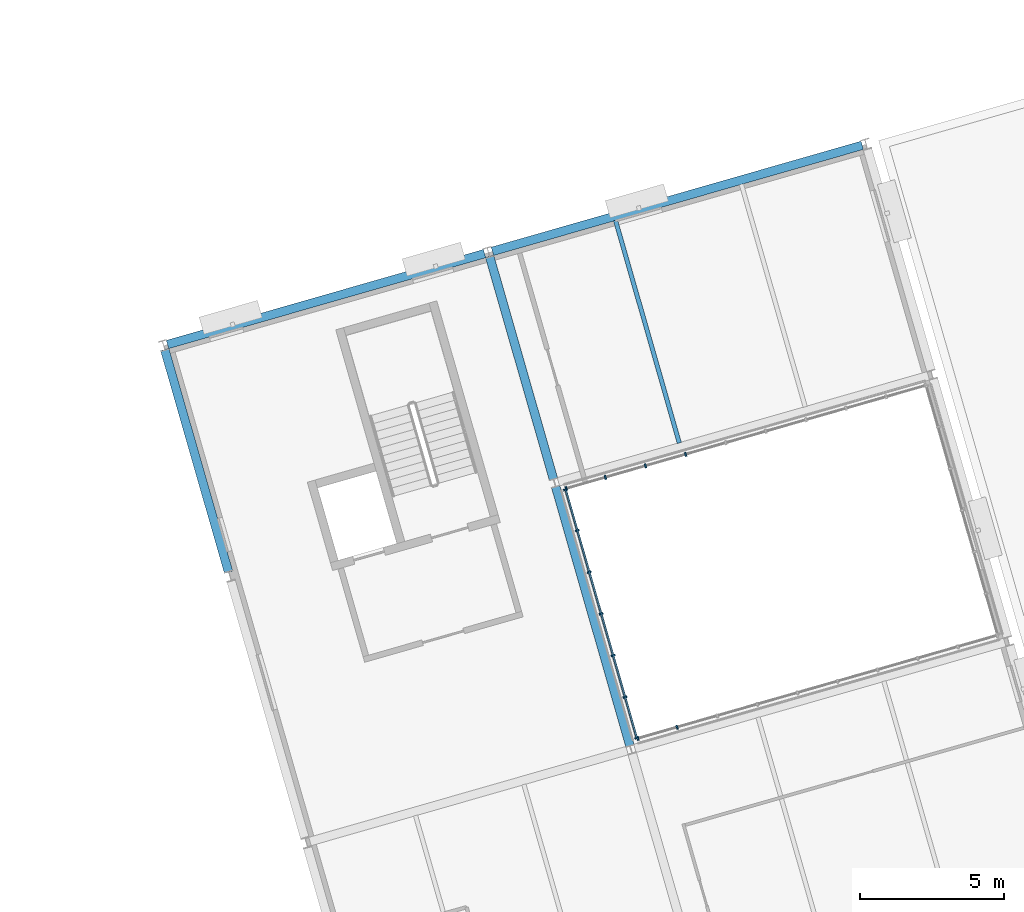
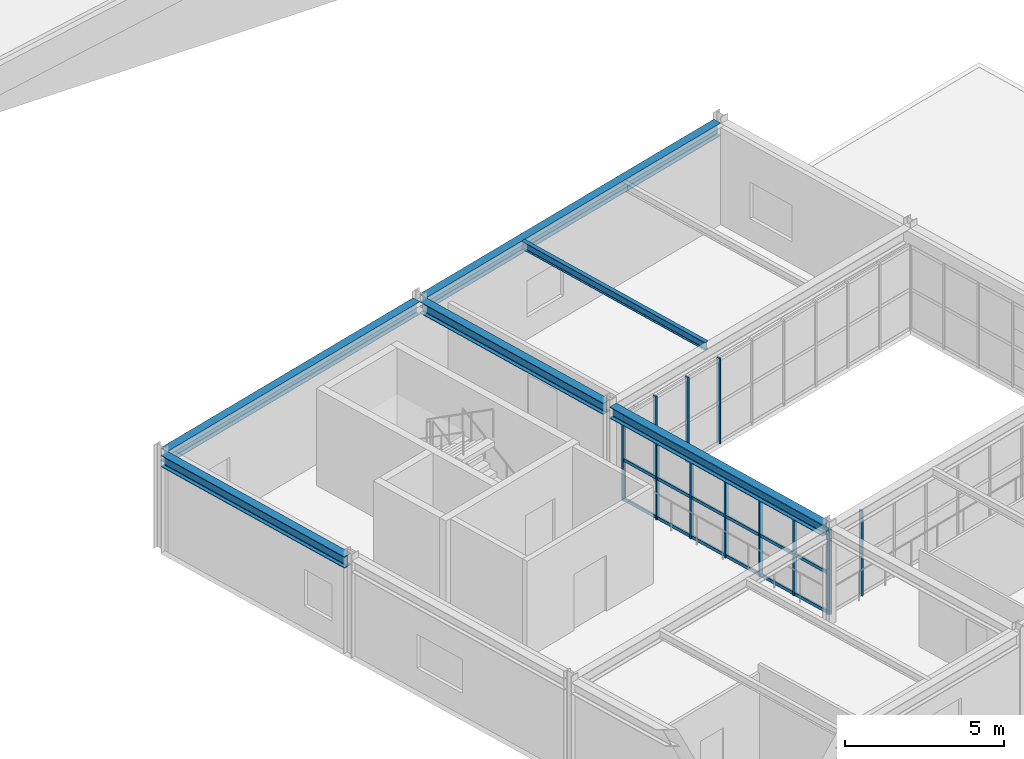
# One storey, part 13 of 44: 16 members, 6 beams, 3 elements without a shape of their own.
"""IFC4 building model written with IfcOpenShell, lengths in metres."""

from ifc_helpers import new_model, si_unit, direction, frame, origin, origin_2d, place, context, subcontext, project, spatial, rectangle, i_section, extrude, material, material_profile, profile_set, type_object, element, aggregate, save


model = new_model("IFC4")

# Units and contexts
model_context = context("Model", 3, precision=1e-05, world=origin(), true_north=direction((0.0, 1.0)))
body_context = subcontext(model_context, "Body", "Model", "MODEL_VIEW")
ifc_project = project(units=[si_unit("LENGTHUNIT", "METRE"), si_unit("AREAUNIT", "SQUARE_METRE"), si_unit("VOLUMEUNIT", "CUBIC_METRE"), si_unit("PLANEANGLEUNIT", "RADIAN"), si_unit("MASSUNIT", "GRAM", prefix="KILO")], contexts=[model_context])

# Site, building, storey
site_placement = place(None, origin())
site = spatial("IfcSite", under=ifc_project, at=site_placement, CompositionType="ELEMENT")
building_placement = place(site_placement, origin())
building = spatial("IfcBuilding", under=site, at=building_placement, Name="Varnklinge Art Gallery", CompositionType="ELEMENT")
storey_placement = place(building_placement, frame((0.0, 0.0, 13.679931640625)))
storey = spatial("IfcBuildingStorey", under=building, at=storey_placement, Name="L03", CompositionType="ELEMENT", Elevation=13.679931640625)

# Beams
ifc_material_1 = material(Name="Steel S355", Category="steel")
ifc_material_profile_1 = material_profile(ifc_material_1, i_section(OverallWidth=0.300048828125, OverallDepth=0.489990234375, WebThickness=0.011962890625, FlangeThickness=0.02294921875, FilletRadius=0.027099609375, at=origin_2d()), Name="HEA 500")
ifc_profile_set_1 = profile_set([ifc_material_profile_1], Name="Steel S355")
beam_type_1 = type_object("IfcBeamType", Name="BM-07", PredefinedType="BEAM", material=ifc_profile_set_1)
beam_1_placement = place(storey_placement, frame((117.740478515625, 35.03173828125, 3.47509765625), z_axis=(0.961257274888, 0.275652773383, 0.0), x_axis=(-0.275652773383, 0.961257274888, 0.0)))
element("IfcBeam", 1, at=beam_1_placement, inside=storey, type_object=beam_type_1, Name="L03 BM-07 BM-V6-L04-U3-0", PredefinedType="BEAM", context=body_context, shape_type="SweptSolid", body=[
    extrude(i_section(OverallWidth=0.300048828125, OverallDepth=0.489990234375, WebThickness=0.011962890625, FlangeThickness=0.02294921875, FilletRadius=0.027099609375, at=origin_2d()), origin(), (0.0, 0.0, 1.0), 11.419921875),
])
beam_2_placement = place(storey_placement, frame((128.9873046875, 38.2568359375, 3.47509765625), z_axis=(0.961262060229, 0.275636085381, 0.0), x_axis=(-0.275636085381, 0.961262060229, 0.0)))
element("IfcBeam", 2, at=beam_2_placement, inside=storey, type_object=beam_type_1, Name="L03 BM-07 BM-V6-L04-U3-1", PredefinedType="BEAM", context=body_context, shape_type="SweptSolid", body=[
    extrude(i_section(OverallWidth=0.300048828125, OverallDepth=0.489990234375, WebThickness=0.011962890625, FlangeThickness=0.02294921875, FilletRadius=0.027099609375, at=origin_2d()), origin(), (0.0, 0.0, 1.0), 13.319580078125),
])
ifc_material_2 = material(Name="Steel S355", Category="steel")
ifc_material_profile_2 = material_profile(ifc_material_2, i_section(OverallWidth=0.300048828125, OverallDepth=0.43994140625, WebThickness=0.011474609375, FlangeThickness=0.02099609375, FilletRadius=0.027099609375, at=origin_2d()), Name="HEA 450")
ifc_profile_set_2 = profile_set([ifc_material_profile_2], Name="Steel S355")
beam_type_2 = type_object("IfcBeamType", Name="BM-08", PredefinedType="BEAM", material=ifc_profile_set_2)
beam_3_placement = place(storey_placement, frame((119.85498046875, 27.1494140625, 3.5), z_axis=(-0.275649759333, 0.961258139201, 0.0), x_axis=(-0.961258139201, -0.275649759333, 0.0)))
element("IfcBeam", 3, at=beam_3_placement, inside=storey, type_object=beam_type_2, Name="L03 BM-08 BM-V6-L04-V0-2", PredefinedType="BEAM", context=body_context, shape_type="SweptSolid", body=[
    extrude(i_section(OverallWidth=0.300048828125, OverallDepth=0.43994140625, WebThickness=0.011474609375, FlangeThickness=0.02099609375, FilletRadius=0.027099609375, at=origin_2d()), origin(), (0.0, 0.0, 1.0), 8.02001953125),
])
beam_4_placement = place(storey_placement, frame((133.747802734375, 21.146240234375, 3.5), z_axis=(-0.275634404399, 0.961262542239, 0.0), x_axis=(-0.961262542239, -0.275634404399, 0.0)))
element("IfcBeam", 4, at=beam_4_placement, inside=storey, type_object=beam_type_2, Name="L03 BM-08 BM-V6-L04-V1-1", PredefinedType="BEAM", context=body_context, shape_type="SweptSolid", body=[
    extrude(i_section(OverallWidth=0.300048828125, OverallDepth=0.43994140625, WebThickness=0.011474609375, FlangeThickness=0.02099609375, FilletRadius=0.027099609375, at=origin_2d()), origin(), (0.0, 0.0, 1.0), 9.31982421875),
])
beam_5_placement = place(storey_placement, frame((131.101806640625, 30.374267578125, 3.5), z_axis=(-0.275649759333, 0.961258139201, 0.0), x_axis=(-0.961258139201, -0.275649759333, 0.0)))
element("IfcBeam", 5, at=beam_5_placement, inside=storey, type_object=beam_type_2, Name="L03 BM-08 BM-V6-L04-V1-2", PredefinedType="BEAM", context=body_context, shape_type="SweptSolid", body=[
    extrude(i_section(OverallWidth=0.300048828125, OverallDepth=0.43994140625, WebThickness=0.011474609375, FlangeThickness=0.02099609375, FilletRadius=0.027099609375, at=origin_2d()), origin(), (0.0, 0.0, 1.0), 8.02001953125),
])
ifc_material_3 = material(Name="Steel S355", Category="steel")
ifc_material_profile_3 = material_profile(ifc_material_3, i_section(OverallWidth=0.14990234375, OverallDepth=0.300048828125, WebThickness=0.007080078125, FlangeThickness=0.0107421875, FilletRadius=0.014892578125, at=origin_2d()), Name="IPE 300")
ifc_profile_set_3 = profile_set([ifc_material_profile_3], Name="Steel S355")
beam_type_3 = type_object("IfcBeamType", Name="JST-08", PredefinedType="JOIST", material=ifc_profile_set_3)
beam_6_placement = place(storey_placement, frame((135.45947265625, 31.623779296875, 3.570068359375), z_axis=(-0.2756416934, 0.961260452146, 0.0), x_axis=(-0.961260452146, -0.2756416934, 0.0)))
element("IfcBeam", 6, at=beam_6_placement, inside=storey, type_object=beam_type_3, Name="L03 JST-08 JST-V6-L04-1-2-1", PredefinedType="JOIST", context=body_context, shape_type="SweptSolid", body=[
    extrude(i_section(OverallWidth=0.14990234375, OverallDepth=0.300048828125, WebThickness=0.007080078125, FlangeThickness=0.0107421875, FilletRadius=0.014892578125, at=origin_2d()), origin(), (0.0, 0.0, 1.0), 8.020263671875),
])

# Curtain wall, members
ifc_material_4 = material(Name="Anodised Aluminium", Category="aluminium")
curtain_wall_type = type_object("IfcCurtainWallType", Name="CW-C03", PredefinedType="USERDEFINED", material=ifc_material_4)
curtain_wall_1_placement = place(storey_placement, origin())
curtain_wall_1 = element("IfcCurtainWall", 7, at=curtain_wall_1_placement, inside=storey, type_object=curtain_wall_type, Name="L03 Curtain Wall CW-V6C-L03-1", ObjectType="UNITISED CURTAIN WALL", PredefinedType="USERDEFINED")
ifc_material_5 = material(Name="Anodised Aluminium", Category="aluminium")
ifc_material_profile_4 = material_profile(ifc_material_5, rectangle(XDim=0.06005859375, YDim=0.139892578125, at=origin_2d()), Name="ALU 60x140")
ifc_profile_set_4 = profile_set([ifc_material_profile_4], Name="Anodised Aluminium")
member_type_1 = type_object("IfcMemberType", Name="MUL-03", PredefinedType="MULLION", material=ifc_profile_set_4)
member_1_placement = place(storey_placement, frame((135.380615234375, 21.78076171875, 0.0), z_axis=(0.0, 0.0, 1.0), x_axis=(-0.961261695938, -0.275637355817, 0.0)))
member_1 = element("IfcMember", 8, at=member_1_placement, type_object=member_type_1, Name="CW-V6C-L03-1 Mullion 9", PredefinedType="MULLION", context=body_context, shape_type="SweptSolid", body=[
    extrude(rectangle(XDim=0.06005859375, YDim=0.139892578125, at=origin_2d()), origin(), (0.0, 0.0, 1.0), 3.27001953125),
])
member_2_placement = place(storey_placement, frame((134.02099609375, 21.39111328125, 0.0), z_axis=(0.0, 0.0, 1.0), x_axis=(-0.961261695938, -0.275637355817, 0.0)))
member_2 = element("IfcMember", 9, at=member_2_placement, type_object=member_type_1, Name="CW-V6C-L03-1 Mullion 10", PredefinedType="MULLION", context=body_context, shape_type="SweptSolid", body=[
    extrude(rectangle(XDim=0.06005859375, YDim=0.139892578125, at=origin_2d()), origin(), (0.0, 0.0, 1.0), 3.27001953125),
])
aggregate(curtain_wall_1, [member_1, member_2])

curtain_wall_2_placement = place(storey_placement, origin())
curtain_wall_2 = element("IfcCurtainWall", 10, at=curtain_wall_2_placement, inside=storey, type_object=curtain_wall_type, Name="L03 Curtain Wall CW-V6C-L03-3", ObjectType="UNITISED CURTAIN WALL", PredefinedType="USERDEFINED")
member_3_placement = place(storey_placement, frame((131.540283203125, 30.042236328125, 0.0), z_axis=(0.0, 0.0, 1.0), x_axis=(0.961261695938, 0.275637355817, 0.0)))
member_3 = element("IfcMember", 11, at=member_3_placement, type_object=member_type_1, Name="CW-V6C-L03-3 Mullion 1", PredefinedType="MULLION", context=body_context, shape_type="SweptSolid", body=[
    extrude(rectangle(XDim=0.06005859375, YDim=0.139892578125, at=origin_2d()), origin(), (0.0, 0.0, 1.0), 3.27001953125),
])
member_4_placement = place(storey_placement, frame((132.89990234375, 30.43212890625, 0.0), z_axis=(0.0, 0.0, 1.0), x_axis=(0.961261695938, 0.275637355817, 0.0)))
member_4 = element("IfcMember", 12, at=member_4_placement, type_object=member_type_1, Name="CW-V6C-L03-3 Mullion 2", PredefinedType="MULLION", context=body_context, shape_type="SweptSolid", body=[
    extrude(rectangle(XDim=0.06005859375, YDim=0.139892578125, at=origin_2d()), origin(), (0.0, 0.0, 1.0), 3.27001953125),
])
member_5_placement = place(storey_placement, frame((134.288330078125, 30.830322265625, 0.0), z_axis=(0.0, 0.0, 1.0), x_axis=(0.961261695938, 0.275637355817, 0.0)))
member_5 = element("IfcMember", 13, at=member_5_placement, type_object=member_type_1, Name="CW-V6C-L03-3 Mullion 3", PredefinedType="MULLION", context=body_context, shape_type="SweptSolid", body=[
    extrude(rectangle(XDim=0.06005859375, YDim=0.139892578125, at=origin_2d()), origin(), (0.0, 0.0, 1.0), 3.27001953125),
])
member_6_placement = place(storey_placement, frame((135.677001953125, 31.228515625, 0.0), z_axis=(0.0, 0.0, 1.0), x_axis=(0.961261695938, 0.275637355817, 0.0)))
member_6 = element("IfcMember", 14, at=member_6_placement, type_object=member_type_1, Name="CW-V6C-L03-3 Mullion 4", PredefinedType="MULLION", context=body_context, shape_type="SweptSolid", body=[
    extrude(rectangle(XDim=0.06005859375, YDim=0.139892578125, at=origin_2d()), origin(), (0.0, 0.0, 1.0), 3.27001953125),
])
aggregate(curtain_wall_2, [member_3, member_4, member_5, member_6])

curtain_wall_3_placement = place(storey_placement, origin())
curtain_wall_3 = element("IfcCurtainWall", 15, at=curtain_wall_3_placement, inside=storey, type_object=curtain_wall_type, Name="L03 Curtain Wall CW-V6C-L03-4", ObjectType="UNITISED CURTAIN WALL", PredefinedType="USERDEFINED")
member_7_placement = place(storey_placement, frame((133.98388671875, 21.41162109375, 0.0), z_axis=(0.0, 0.0, 1.0), x_axis=(-0.275637355817, 0.961261695938, 0.0)))
member_7 = element("IfcMember", 16, at=member_7_placement, type_object=member_type_1, Name="CW-V6C-L03-4 Mullion 1", PredefinedType="MULLION", context=body_context, shape_type="SweptSolid", body=[
    extrude(rectangle(XDim=0.06005859375, YDim=0.139892578125, at=origin_2d()), origin(), (0.0, 0.0, 1.0), 3.27001953125),
])
member_8_placement = place(storey_placement, frame((133.57861328125, 22.82470703125, 0.0), z_axis=(0.0, 0.0, 1.0), x_axis=(-0.275637355817, 0.961261695938, 0.0)))
member_8 = element("IfcMember", 17, at=member_8_placement, type_object=member_type_1, Name="CW-V6C-L03-4 Mullion 2", PredefinedType="MULLION", context=body_context, shape_type="SweptSolid", body=[
    extrude(rectangle(XDim=0.06005859375, YDim=0.139892578125, at=origin_2d()), origin(), (0.0, 0.0, 1.0), 3.27001953125),
])
member_9_placement = place(storey_placement, frame((133.165283203125, 24.2666015625, 0.0), z_axis=(0.0, 0.0, 1.0), x_axis=(-0.275637355817, 0.961261695938, 0.0)))
member_9 = element("IfcMember", 18, at=member_9_placement, type_object=member_type_1, Name="CW-V6C-L03-4 Mullion 3", PredefinedType="MULLION", context=body_context, shape_type="SweptSolid", body=[
    extrude(rectangle(XDim=0.06005859375, YDim=0.139892578125, at=origin_2d()), origin(), (0.0, 0.0, 1.0), 3.27001953125),
])
member_10_placement = place(storey_placement, frame((132.751708984375, 25.708251953125, 0.0), z_axis=(0.0, 0.0, 1.0), x_axis=(-0.275637355817, 0.961261695938, 0.0)))
member_10 = element("IfcMember", 19, at=member_10_placement, type_object=member_type_1, Name="CW-V6C-L03-4 Mullion 4", PredefinedType="MULLION", context=body_context, shape_type="SweptSolid", body=[
    extrude(rectangle(XDim=0.06005859375, YDim=0.139892578125, at=origin_2d()), origin(), (0.0, 0.0, 1.0), 3.27001953125),
])
member_11_placement = place(storey_placement, frame((132.33837890625, 27.150146484375, 0.0), z_axis=(0.0, 0.0, 1.0), x_axis=(-0.275637355817, 0.961261695938, 0.0)))
member_11 = element("IfcMember", 20, at=member_11_placement, type_object=member_type_1, Name="CW-V6C-L03-4 Mullion 5", PredefinedType="MULLION", context=body_context, shape_type="SweptSolid", body=[
    extrude(rectangle(XDim=0.06005859375, YDim=0.139892578125, at=origin_2d()), origin(), (0.0, 0.0, 1.0), 3.27001953125),
])
member_12_placement = place(storey_placement, frame((131.9248046875, 28.592041015625, 0.0), z_axis=(0.0, 0.0, 1.0), x_axis=(-0.275637355817, 0.961261695938, 0.0)))
member_12 = element("IfcMember", 21, at=member_12_placement, type_object=member_type_1, Name="CW-V6C-L03-4 Mullion 6", PredefinedType="MULLION", context=body_context, shape_type="SweptSolid", body=[
    extrude(rectangle(XDim=0.06005859375, YDim=0.139892578125, at=origin_2d()), origin(), (0.0, 0.0, 1.0), 3.27001953125),
])
member_13_placement = place(storey_placement, frame((131.519775390625, 30.005126953125, 0.0), z_axis=(0.0, 0.0, 1.0), x_axis=(-0.275637355817, 0.961261695938, 0.0)))
member_13 = element("IfcMember", 22, at=member_13_placement, type_object=member_type_1, Name="CW-V6C-L03-4 Mullion 7", PredefinedType="MULLION", context=body_context, shape_type="SweptSolid", body=[
    extrude(rectangle(XDim=0.06005859375, YDim=0.139892578125, at=origin_2d()), origin(), (0.0, 0.0, 1.0), 3.27001953125),
])
ifc_material_6 = material(Name="Anodised Aluminium", Category="aluminium")
ifc_material_profile_5 = material_profile(ifc_material_6, rectangle(XDim=0.06005859375, YDim=0.1201171875, at=origin_2d()), Name="ALU 60x120")
ifc_profile_set_5 = profile_set([ifc_material_profile_5], Name="Anodised Aluminium")
member_type_2 = type_object("IfcMemberType", Name="TRN-02", PredefinedType="USERDEFINED", material=ifc_profile_set_5)
member_14_placement = place(storey_placement, frame((133.98388671875, 21.41162109375, 0.06005859375), z_axis=(-0.275633549608, 0.961262787343, 0.0), x_axis=(-0.961262787343, -0.275633549608, 0.0)))
member_14 = element("IfcMember", 23, at=member_14_placement, type_object=member_type_2, Name="CW-V6C-L03-4 Transom 1", ObjectType="TRANSOM", PredefinedType="USERDEFINED", context=body_context, shape_type="SweptSolid", body=[
    extrude(rectangle(XDim=0.06005859375, YDim=0.1201171875, at=origin_2d()), origin(), (0.0, 0.0, 1.0), 8.939697265625),
])
member_15_placement = place(storey_placement, frame((133.98388671875, 21.41162109375, 1.569580078125), z_axis=(-0.275633549608, 0.961262787343, 0.0), x_axis=(-0.961262787343, -0.275633549608, 0.0)))
member_15 = element("IfcMember", 24, at=member_15_placement, type_object=member_type_2, Name="CW-V6C-L03-4 Transom 2", ObjectType="TRANSOM", PredefinedType="USERDEFINED", context=body_context, shape_type="SweptSolid", body=[
    extrude(rectangle(XDim=0.06005859375, YDim=0.1201171875, at=origin_2d()), origin(), (0.0, 0.0, 1.0), 8.939697265625),
])
member_16_placement = place(storey_placement, frame((133.98388671875, 21.41162109375, 3.2099609375), z_axis=(-0.275633549608, 0.961262787343, 0.0), x_axis=(-0.961262787343, -0.275633549608, 0.0)))
member_16 = element("IfcMember", 25, at=member_16_placement, type_object=member_type_2, Name="CW-V6C-L03-4 Transom 3", ObjectType="TRANSOM", PredefinedType="USERDEFINED", context=body_context, shape_type="SweptSolid", body=[
    extrude(rectangle(XDim=0.06005859375, YDim=0.1201171875, at=origin_2d()), origin(), (0.0, 0.0, 1.0), 8.939697265625),
])
aggregate(curtain_wall_3, [member_7, member_8, member_9, member_10, member_11, member_12, member_13, member_14, member_15, member_16])

save(model, "model.ifc")
